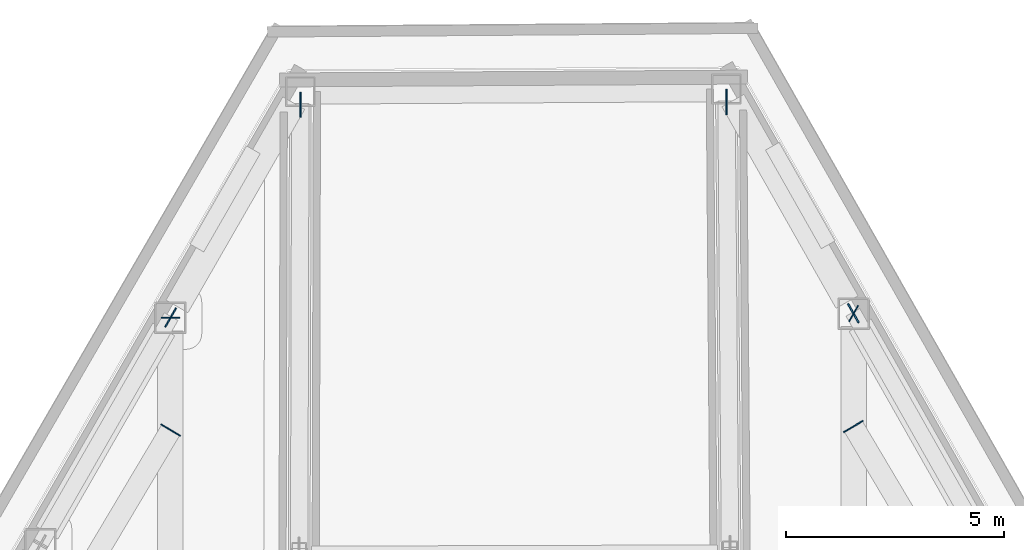
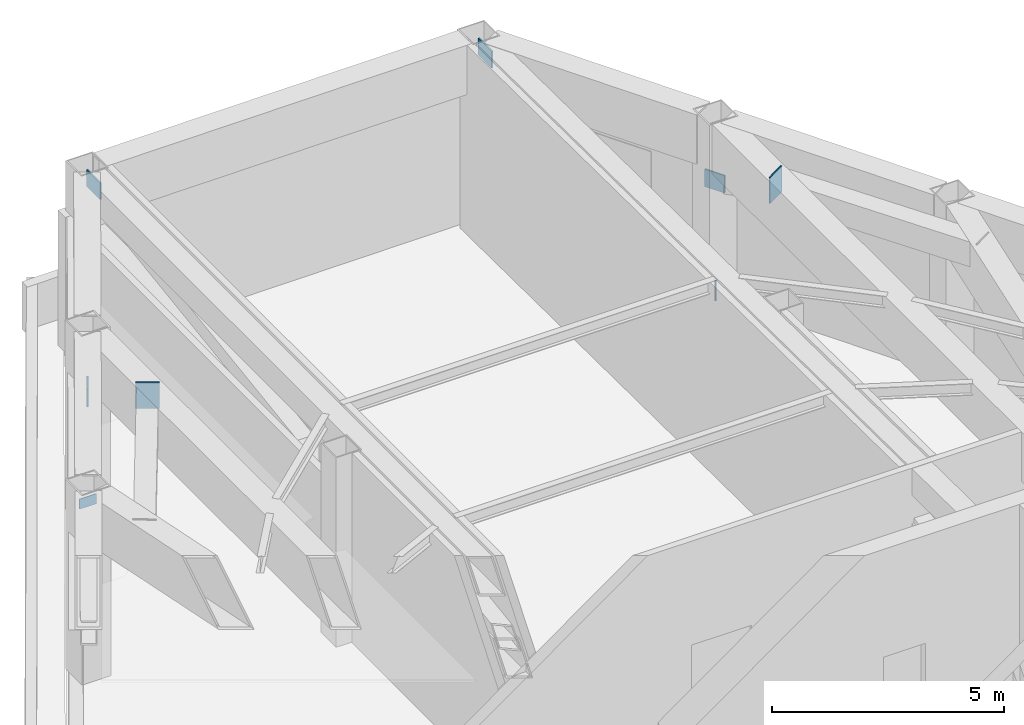
# One storey, part 8 of 13: 8 plates.
"""IFC4 building model written with IfcOpenShell, lengths in metres."""

from ifc_helpers import new_model, si_unit, direction, frame, origin, origin_2d, place, context, subcontext, project, spatial, rectangle, extrude, material, layer, layer_set, type_object, element, save


model = new_model("IFC4")

# Units and contexts
model_context = context("Model", 3, precision=1e-05, world=origin(), true_north=direction((0.0, 1.0)))
body_context = subcontext(model_context, "Body", "Model", "MODEL_VIEW")
ifc_project = project(units=[si_unit("LENGTHUNIT", "METRE"), si_unit("AREAUNIT", "SQUARE_METRE"), si_unit("VOLUMEUNIT", "CUBIC_METRE"), si_unit("PLANEANGLEUNIT", "RADIAN"), si_unit("MASSUNIT", "GRAM", prefix="KILO")], contexts=[model_context])

# Site, building, storey
site_placement = place(None, origin())
site = spatial("IfcSite", under=ifc_project, at=site_placement, CompositionType="ELEMENT")
building_placement = place(site_placement, origin())
building = spatial("IfcBuilding", under=site, at=building_placement, Name="Kavelnor Concourse Tower", CompositionType="ELEMENT")
storey_placement = place(building_placement, frame((0.0, 0.0, 154.800048828125)))
storey = spatial("IfcBuildingStorey", under=building, at=storey_placement, Name="L39", CompositionType="ELEMENT", Elevation=154.800048828125)

# Plates
ifc_material = material(Name="Steel Grade 350", Category="steel")
ifc_layer_1 = layer(ifc_material, 0.035888671875, Name="Steel Grade 350")
ifc_layer_set_1 = layer_set([ifc_layer_1], Name="Steel Grade 350")
plate_type_1 = type_object("IfcPlateType", Name="PL-GUSSET-OUTRIG", PredefinedType="USERDEFINED", material=ifc_layer_set_1)
for number, where, z_axis, x_axis, name in (
    (1, (33.054931640625, 43.431396484375, 4.405029296875), (0.0, 0.0, 1.0), (0.002617990887, 0.999996573056, 0.0), "L39 Outrigger Truss Node Gusset Plate GP2 F0A-B1"),
    (2, (42.836181640625, 43.49169921875, 4.405029296875), (0.0, 0.0, 1.0), (-0.007853900889, 0.999969157645, 0.0), "L39 Outrigger Truss Node Gusset Plate GP2 F2B-B1"),
):
    element("IfcPlate", number, at=place(storey_placement, frame(where, z_axis=z_axis, x_axis=x_axis)), inside=storey, type_object=plate_type_1, Name=name, ObjectType="GUSSET_PLATE", PredefinedType="USERDEFINED", context=body_context, shape_type="SweptSolid", body=[
        extrude(rectangle(XDim=0.580078125, YDim=0.035888671875, at=origin_2d()), origin(), (0.0, 0.0, 1.0), 0.43994140625),
    ])
for number, where, z_axis, x_axis, name in (
    (3, (30.078369140625, 38.5478515625, 2.949951171875), (0.0, 0.0, 1.0), (-0.498033765367, -0.867157637662, 0.0), "L39 Belt Truss Diagonal F0-B1 End Gusset A"),
    (4, (45.747314453125, 38.646240234375, 2.949951171875), (0.0, 0.0, 1.0), (0.492727341548, -0.87018375467, 0.0), "L39 Belt Truss Diagonal F2-B4 End Gusset A"),
):
    element("IfcPlate", number, at=place(storey_placement, frame(where, z_axis=z_axis, x_axis=x_axis)), inside=storey, type_object=plate_type_1, Name=name, ObjectType="GUSSET_PLATE", PredefinedType="USERDEFINED", context=body_context, shape_type="SweptSolid", body=[
        extrude(rectangle(XDim=0.5, YDim=0.035888671875, at=origin_2d()), origin(), (0.0, 0.0, 1.0), 0.4599609375),
    ])
ifc_layer_2 = layer(ifc_material, 0.02490234375, Name="Steel Grade 350")
ifc_layer_set_2 = layer_set([ifc_layer_2], Name="Steel Grade 350")
plate_type_2 = type_object("IfcPlateType", Name="PL-SPLICE-FLANGE", PredefinedType="SHEET", material=ifc_layer_set_2)
for number, where, z_axis, x_axis, name in (
    (5, (30.072509765625, 38.53759765625, 0.169921875), (0.0, 0.0, 1.0), (1.0, 0.0, 0.0), "L39 Column Flange Splice Plate F0-B1"),
    (6, (45.75341796875, 38.635986328125, 0.169921875), (0.0, 0.0, 1.0), (-0.5, -0.866025403784, 0.0), "L39 Column Flange Splice Plate F2-B5"),
):
    element("IfcPlate", number, at=place(storey_placement, frame(where, z_axis=z_axis, x_axis=x_axis)), inside=storey, type_object=plate_type_2, Name=name, PredefinedType="SHEET", context=body_context, shape_type="SweptSolid", body=[
        extrude(rectangle(XDim=0.419921875, YDim=0.02490234375, at=origin_2d()), origin(), (0.0, 0.0, 1.0), 0.260009765625),
    ])
for number, where, z_axis, x_axis, name in (
    (7, (30.077880859375, 35.96142578125, 4.31494140625), (0.0, 0.0, 1.0), (-0.859317160934, 0.511443073004, 0.0), "L39 Belt Truss Chord End Cap F0-B1-A"),
    (8, (45.747802734375, 36.044921875, 4.31494140625), (0.0, 0.0, 1.0), (-0.859941365049, -0.510392837604, 0.0), "L39 Belt Truss Chord End Cap F2-B4-B"),
):
    element("IfcPlate", number, at=place(storey_placement, frame(where, z_axis=z_axis, x_axis=x_axis)), inside=storey, type_object=plate_type_2, Name=name, PredefinedType="SHEET", context=body_context, shape_type="SweptSolid", body=[
        extrude(rectangle(XDim=0.52001953125, YDim=0.028076171875, at=origin_2d()), origin(), (0.0, 0.0, 1.0), 0.68994140625),
    ])

save(model, "model.ifc")
